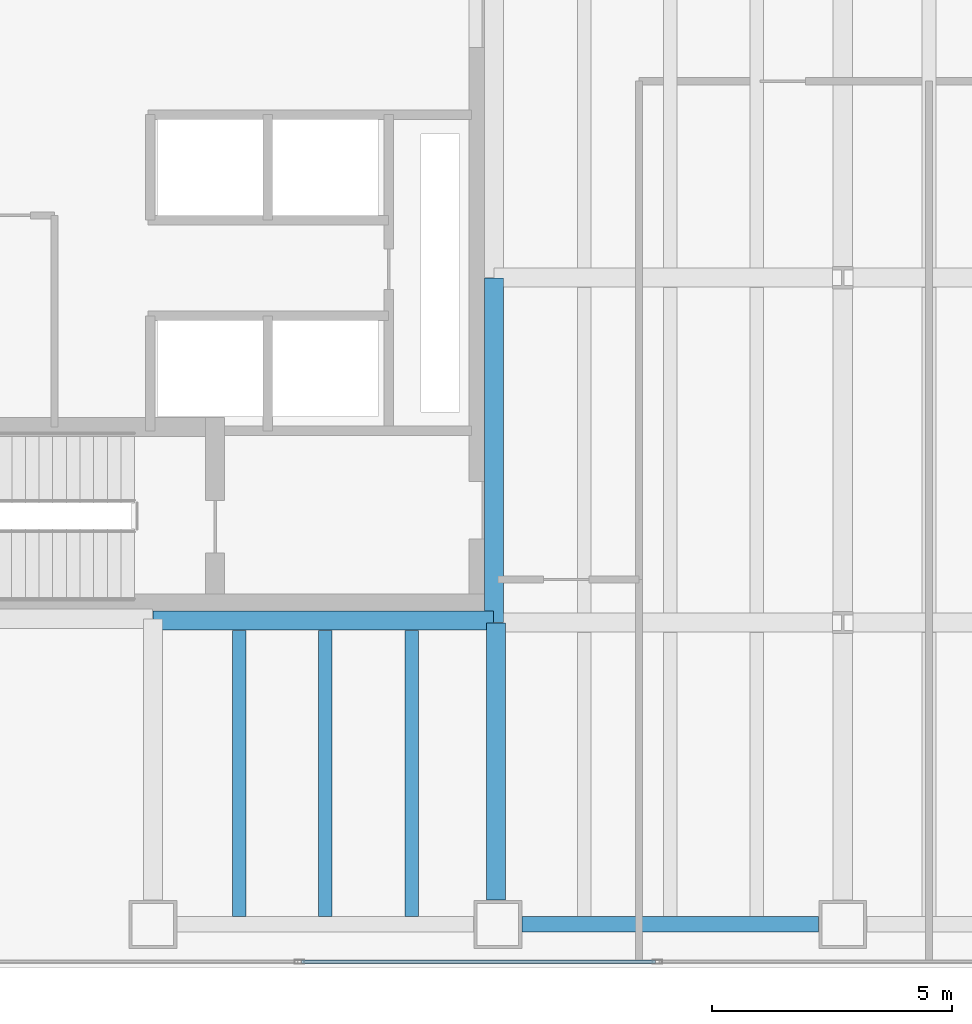
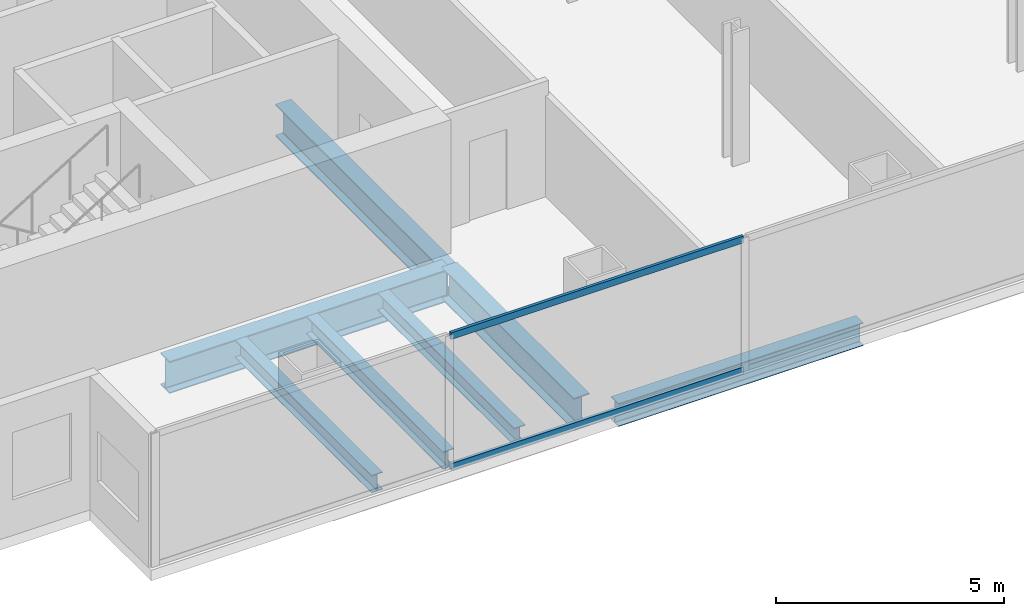
# One storey, part 3 of 25: 7 beams, 2 members, 1 element without a shape of its own.
"""IFC4 building model written with IfcOpenShell, lengths in metres."""

from ifc_helpers import new_model, si_unit, direction, frame, origin, origin_2d, place, context, subcontext, project, spatial, hollow_rectangle, i_section, extrude, material, material_profile, profile_set, type_object, element, aggregate, save


model = new_model("IFC4")

# Units and contexts
model_context = context("Model", 3, precision=1e-05, world=origin(), true_north=direction((0.0, 1.0)))
body_context = subcontext(model_context, "Body", "Model", "MODEL_VIEW")
ifc_project = project(units=[si_unit("LENGTHUNIT", "METRE"), si_unit("AREAUNIT", "SQUARE_METRE"), si_unit("VOLUMEUNIT", "CUBIC_METRE"), si_unit("PLANEANGLEUNIT", "RADIAN"), si_unit("MASSUNIT", "GRAM", prefix="KILO")], contexts=[model_context])

# Site, building, storey
site_placement = place(None, origin())
site = spatial("IfcSite", under=ifc_project, at=site_placement, CompositionType="ELEMENT")
building_placement = place(site_placement, origin())
building = spatial("IfcBuilding", under=site, at=building_placement, Name="Cobrela Telecom Tower", CompositionType="ELEMENT")
storey_placement = place(building_placement, frame((0.0, 0.0, 58.10009765625)))
storey = spatial("IfcBuildingStorey", under=building, at=storey_placement, Name="L14", CompositionType="ELEMENT", Elevation=58.10009765625)

# Beams
ifc_material_1 = material(Name="Steel ASTM A992 Grade 50", Category="steel")
ifc_material_profile_1 = material_profile(ifc_material_1, i_section(OverallWidth=0.39892578125, OverallDepth=0.85595703125, WebThickness=0.018310546875, FlangeThickness=0.029296875, FilletRadius=0.02001953125, at=origin_2d()), Name="W33X201")
ifc_profile_set_1 = profile_set([ifc_material_profile_1], Name="Steel ASTM A992 Grade 50")
beam_type_1 = type_object("IfcBeamType", Name="BM-GIRD-03", PredefinedType="USERDEFINED", material=ifc_profile_set_1)
beam_1_placement = place(storey_placement, frame((7.205078125, 7.239990234375, -0.7080078125), z_axis=(1.0, 0.0, 0.0), x_axis=(0.0, 1.0, 0.0)))
element("IfcBeam", 1, at=beam_1_placement, inside=storey, type_object=beam_type_1, Name="L14 Primary Girder X07", ObjectType="GIRDER", PredefinedType="USERDEFINED", context=body_context, shape_type="SweptSolid", body=[
    extrude(i_section(OverallWidth=0.39892578125, OverallDepth=0.85595703125, WebThickness=0.018310546875, FlangeThickness=0.029296875, FilletRadius=0.02001953125, at=origin_2d()), origin(), (0.0, 0.0, 1.0), 7.10986328125),
])
beam_2_placement = place(storey_placement, frame((14.360107421875, 1.405029296875, -0.7080078125), z_axis=(0.0, 1.0, 0.0), x_axis=(-1.0, 0.0, 0.0)))
element("IfcBeam", 2, at=beam_2_placement, inside=storey, type_object=beam_type_1, Name="L14 Primary Girder Y34", ObjectType="GIRDER", PredefinedType="USERDEFINED", context=body_context, shape_type="SweptSolid", body=[
    extrude(i_section(OverallWidth=0.39892578125, OverallDepth=0.85595703125, WebThickness=0.018310546875, FlangeThickness=0.029296875, FilletRadius=0.02001953125, at=origin_2d()), origin(), (0.0, 0.0, 1.0), 5.7900390625),
])
beam_3_placement = place(storey_placement, frame((14.320068359375, 7.205078125, -0.7080078125), z_axis=(0.0, 1.0, 0.0), x_axis=(-1.0, 0.0, 0.0)))
element("IfcBeam", 3, at=beam_3_placement, inside=storey, type_object=beam_type_1, Name="L14 Primary Girder Y35", ObjectType="GIRDER", PredefinedType="USERDEFINED", context=body_context, shape_type="SweptSolid", body=[
    extrude(i_section(OverallWidth=0.39892578125, OverallDepth=0.85595703125, WebThickness=0.018310546875, FlangeThickness=0.029296875, FilletRadius=0.02001953125, at=origin_2d()), origin(), (0.0, 0.0, 1.0), 7.18994140625),
])
ifc_material_profile_2 = material_profile(ifc_material_1, i_section(OverallWidth=0.281982421875, OverallDepth=0.467041015625, WebThickness=0.01220703125, FlangeThickness=0.01953125, FilletRadius=0.012939453125, at=origin_2d()), Name="W18X86")
ifc_profile_set_2 = profile_set([ifc_material_profile_2], Name="Steel ASTM A992 Grade 50")
beam_type_2 = type_object("IfcBeamType", Name="BM-JOIST-02", PredefinedType="JOIST", material=ifc_profile_set_2)
for number, where, z_axis, x_axis, name in (
    (4, (9.0, 1.0673828125, -0.513671875), (0.0, 1.0, 0.0), (-1.0, 0.0, 0.0), "L14 Secondary Composite Floor Beam J01"),
    (5, (10.800048828125, 1.0673828125, -0.513671875), (0.0, 1.0, 0.0), (-1.0, 0.0, 0.0), "L14 Secondary Composite Floor Beam J03"),
    (6, (12.60009765625, 1.0673828125, -0.513671875), (0.0, 1.0, 0.0), (-1.0, 0.0, 0.0), "L14 Secondary Composite Floor Beam J05"),
):
    element("IfcBeam", number, at=place(storey_placement, frame(where, z_axis=z_axis, x_axis=x_axis)), inside=storey, type_object=beam_type_2, Name=name, PredefinedType="JOIST", context=body_context, shape_type="SweptSolid", body=[
        extrude(i_section(OverallWidth=0.281982421875, OverallDepth=0.467041015625, WebThickness=0.01220703125, FlangeThickness=0.01953125, FilletRadius=0.012939453125, at=origin_2d()), origin(), (0.0, 0.0, 1.0), 5.968017578125),
    ])
ifc_material_profile_3 = material_profile(ifc_material_1, i_section(OverallWidth=0.324951171875, OverallDepth=0.612060546875, WebThickness=0.0126953125, FlangeThickness=0.01904296875, FilletRadius=0.014892578125, at=origin_2d()), Name="W24X104")
ifc_profile_set_3 = profile_set([ifc_material_profile_3], Name="Steel ASTM A992 Grade 50")
beam_type_3 = type_object("IfcBeamType", Name="BM-SPAND-02", PredefinedType="SPANDREL", material=ifc_profile_set_3)
beam_4_placement = place(storey_placement, frame((14.905029296875, 0.89990234375, -0.586181640625), z_axis=(1.0, 0.0, 0.0), x_axis=(0.0, 1.0, 0.0)))
element("IfcBeam", 7, at=beam_4_placement, inside=storey, type_object=beam_type_3, Name="L14 Perimeter Spandrel X02", PredefinedType="SPANDREL", context=body_context, shape_type="SweptSolid", body=[
    extrude(i_section(OverallWidth=0.324951171875, OverallDepth=0.612060546875, WebThickness=0.0126953125, FlangeThickness=0.01904296875, FilletRadius=0.014892578125, at=origin_2d()), origin(), (0.0, 0.0, 1.0), 6.18994140625),
])

# Curtain wall, members
ifc_material_2 = material(Name="Anodized Bronze Aluminium 6063-T6", Category="aluminium")
curtain_wall_type = type_object("IfcCurtainWallType", Name="CW-SYS-DATA", PredefinedType="USERDEFINED", material=ifc_material_2)
curtain_wall_placement = place(storey_placement, origin())
curtain_wall = element("IfcCurtainWall", 8, at=curtain_wall_placement, inside=storey, type_object=curtain_wall_type, Name="L14 Unitised Bronze Curtain Wall 17", ObjectType="UNITISED CURTAIN WALL", PredefinedType="USERDEFINED")
ifc_material_profile_4 = material_profile(ifc_material_2, hollow_rectangle(XDim=0.074951171875, YDim=0.179931640625, WallThickness=0.00390625, at=origin_2d()), Name="ALU 75x180x4")
ifc_profile_set_4 = profile_set([ifc_material_profile_4], Name="Anodized Bronze Aluminium 6063-T6")
member_type = type_object("IfcMemberType", Name="CW-SYS-DATA-TRN", PredefinedType="USERDEFINED", material=ifc_profile_set_4)
member_1_placement = place(storey_placement, frame((17.68994140625, 0.1201171875, 0.037353515625), z_axis=(-1.0, 0.0, 0.0), x_axis=(0.0, -1.0, 0.0)))
member_1 = element("IfcMember", 9, at=member_1_placement, type_object=member_type, Name="CW-DATA transom 5.1", ObjectType="TRANSOM", PredefinedType="USERDEFINED", context=body_context, shape_type="SweptSolid", body=[
    extrude(hollow_rectangle(XDim=0.074951171875, YDim=0.179931640625, WallThickness=0.00390625, at=origin_2d()), origin(), (0.0, 0.0, 1.0), 7.389892578125),
])
member_2_placement = place(storey_placement, frame((17.68994140625, 0.1201171875, 3.532470703125), z_axis=(-1.0, 0.0, 0.0), x_axis=(0.0, -1.0, 0.0)))
member_2 = element("IfcMember", 10, at=member_2_placement, type_object=member_type, Name="CW-DATA transom 5.2", ObjectType="TRANSOM", PredefinedType="USERDEFINED", context=body_context, shape_type="SweptSolid", body=[
    extrude(hollow_rectangle(XDim=0.074951171875, YDim=0.179931640625, WallThickness=0.00390625, at=origin_2d()), origin(), (0.0, 0.0, 1.0), 7.389892578125),
])
aggregate(curtain_wall, [member_1, member_2])

save(model, "model.ifc")
